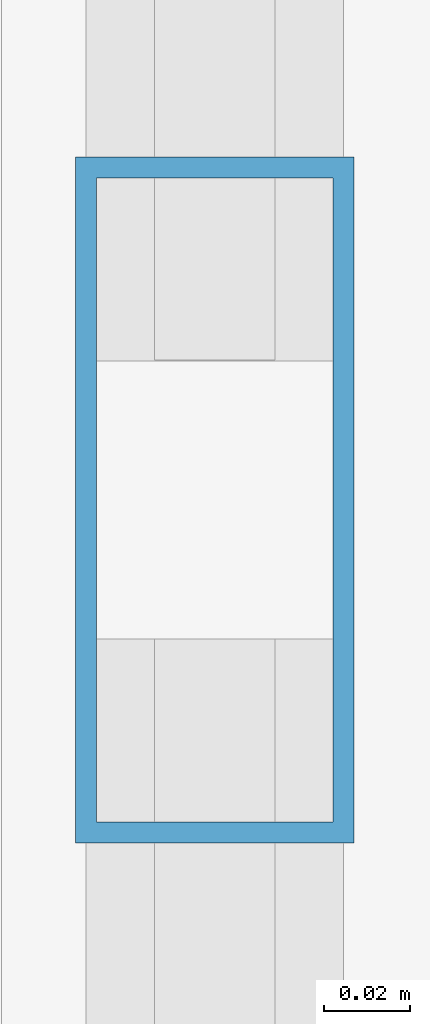
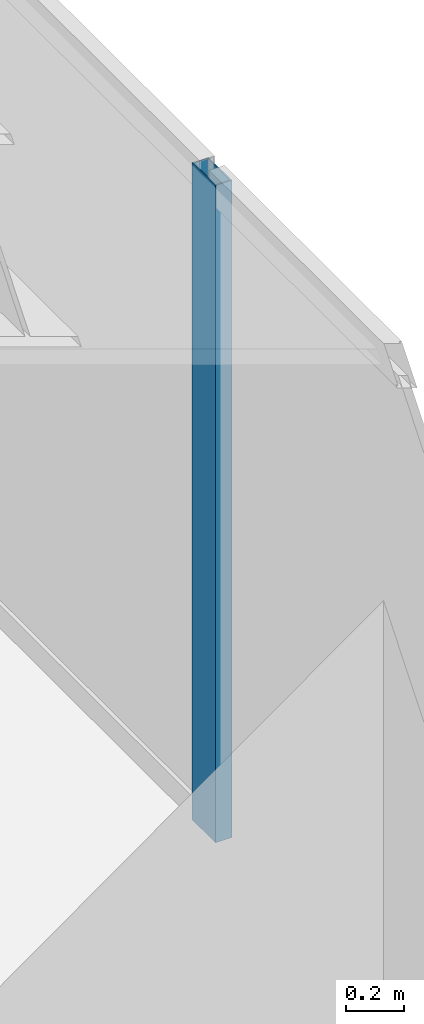
# One storey, part 11 of 27: 1 member, 1 element without a shape of its own.
"""IFC4 building model written with IfcOpenShell, lengths in metres."""

from ifc_helpers import new_model, si_unit, direction, frame, origin, origin_2d, place, context, subcontext, project, spatial, hollow_rectangle, extrude, source, transform, mapped, material, layer, layer_set, material_profile, profile_set, type_object, element, aggregate, save


model = new_model("IFC4")

# Units and contexts
model_context = context("Model", 3, precision=1e-05, world=origin(), true_north=direction((0.0, 1.0)))
body_context = subcontext(model_context, "Body", "Model", "MODEL_VIEW")
ifc_project = project(units=[si_unit("LENGTHUNIT", "METRE"), si_unit("AREAUNIT", "SQUARE_METRE"), si_unit("VOLUMEUNIT", "CUBIC_METRE"), si_unit("PLANEANGLEUNIT", "RADIAN"), si_unit("MASSUNIT", "GRAM", prefix="KILO")], contexts=[model_context])

# Site, building, storey
site_placement = place(None, origin())
site = spatial("IfcSite", under=ifc_project, at=site_placement, CompositionType="ELEMENT")
building_placement = place(site_placement, origin())
building = spatial("IfcBuilding", under=site, at=building_placement, Name="Sumidabori Civic Tower", CompositionType="ELEMENT")
storey_placement = place(building_placement, frame((0.0, 0.0, 164.0)))
storey = spatial("IfcBuildingStorey", under=building, at=storey_placement, Name="L42", CompositionType="ELEMENT", Elevation=164.0)

# Curtain wall, member
ifc_material = material(Name="Anodised Bronze Aluminium AW-6063-T6", Category="aluminium")
ifc_layer = layer(ifc_material, 0.179931640625, Name="Anodised Bronze Aluminium AW-6063-T6")
ifc_layer_set = layer_set([ifc_layer], Name="Anodised Bronze Aluminium AW-6063-T6")
curtain_wall_type = type_object("IfcCurtainWallType", Name="CW-SYS-3", PredefinedType="NOTDEFINED", material=ifc_layer_set)
curtain_wall_placement = place(storey_placement, origin())
curtain_wall = element("IfcCurtainWall", 1, at=curtain_wall_placement, inside=storey, type_object=curtain_wall_type, Name="Curtain Wall CW:L42:R04", PredefinedType="NOTDEFINED")
ifc_material_profile = material_profile(ifc_material, hollow_rectangle(XDim=0.06494140625, YDim=0.159912109375, WallThickness=0.0048828125, at=origin_2d()), Name="ALU MULLION 160x65")
ifc_profile_set = profile_set([ifc_material_profile], Name="Anodised Bronze Aluminium AW-6063-T6")
member_type = type_object("IfcMemberType", Name="CW-MUL-160", PredefinedType="MULLION", material=ifc_profile_set)
shared_shape = source(origin(), body_context, "Body", "SweptSolid", [
    extrude(hollow_rectangle(XDim=0.06494140625, YDim=0.159912109375, WallThickness=0.0048828125, at=origin_2d()), origin(), (0.0, 0.0, 1.0), 2.760009765625),
])
member_placement = place(storey_placement, frame((23.8798828125, -8.3349609375, 0.0), z_axis=(0.0, 0.0, 1.0), x_axis=(-1.0, 0.0, 0.0)))
member = element("IfcMember", 2, at=member_placement, type_object=member_type, Name="CW-3 mullion 2", PredefinedType="MULLION", context=body_context, shape_type="MappedRepresentation", body=[
    mapped(shared_shape, transform((0.0, 0.0, 0.0), x_axis=(1.0, 0.0, 0.0), y_axis=(0.0, 1.0, 0.0), z_axis=(0.0, 0.0, 1.0), scale=1.0)),
])
aggregate(curtain_wall, [member])

save(model, "model.ifc")
